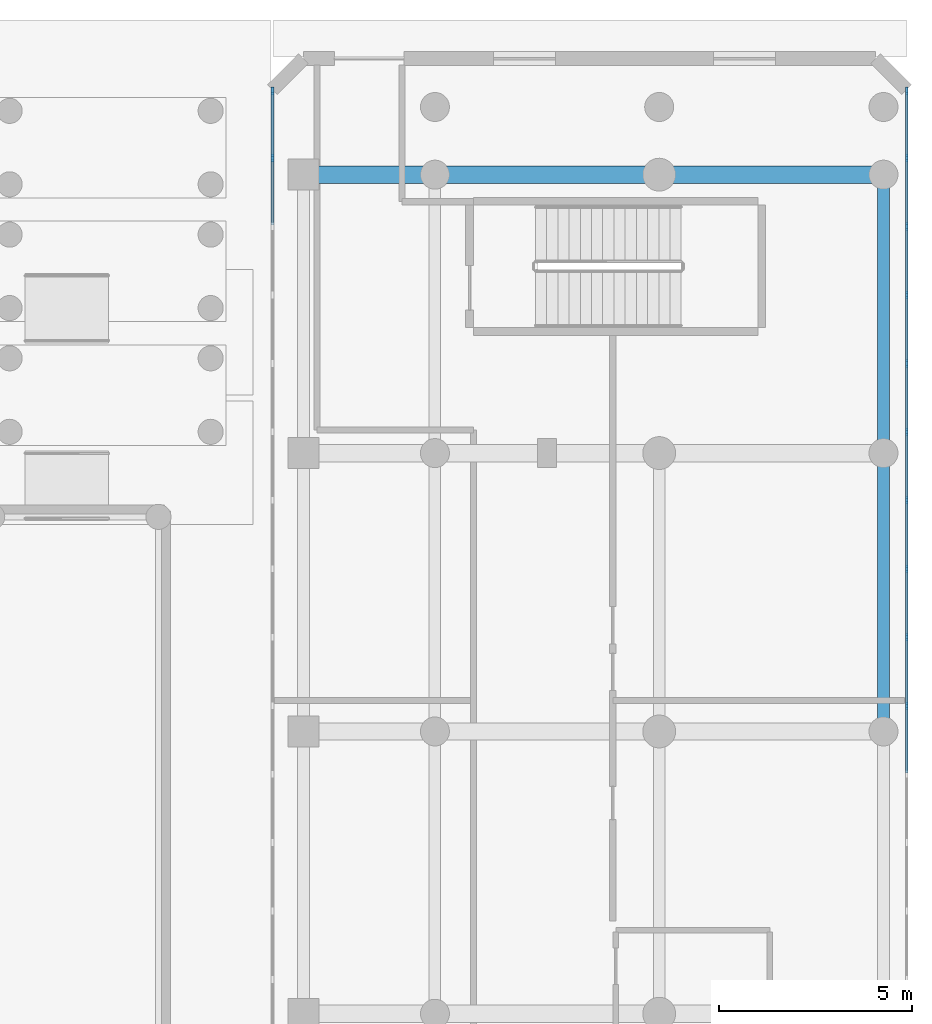
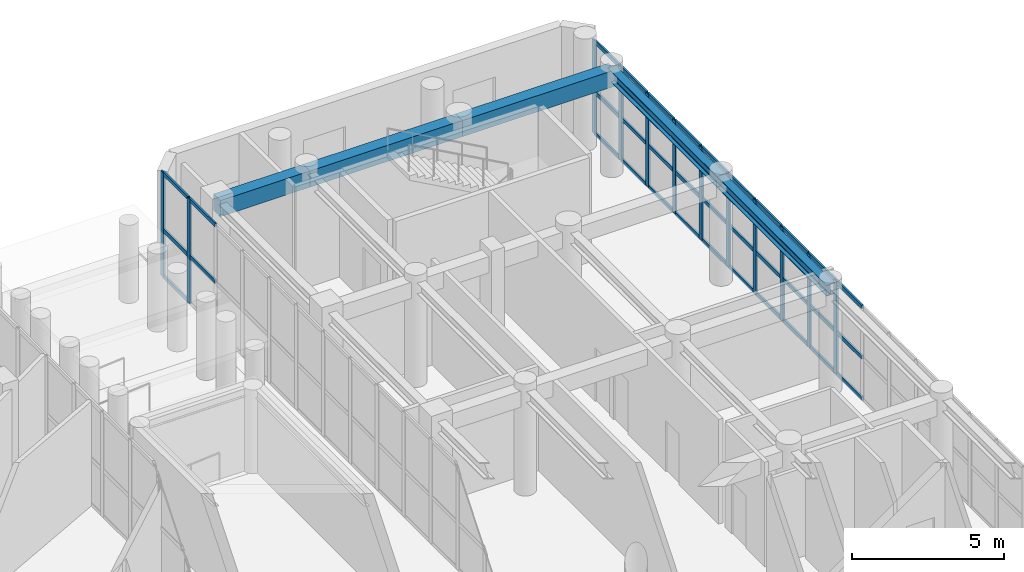
# One storey, part 9 of 30: 47 members, 5 beams, 2 elements without a shape of their own.
"""IFC4 building model written with IfcOpenShell, lengths in metres."""

import ifcopenshell
import ifcopenshell.guid

model = None  # the IFC model being written
_history = None  # IfcOwnerHistory: only IFC2X3 demands one
_inside = {}  # id of a spatial element -> (the spatial element, [elements in it])
_under = {}  # id of a project, library or spatial element -> (it, [spatial elements below it])
_declared = {}  # id of a project -> (the project, [libraries it declares])
_typed = {}  # id of a type object -> (the type object, [elements of that type])
_made_of = {}  # id of a material, layer set ... -> (it, [elements and type objects made of it])


def new_model(schema):
    """Start an empty IFC model of exactly this schema.

    Asked for "IFC4X3", IfcOpenShell would pick the latest addendum, in which some entities
    have other attributes; the version numbers below select the first issue.
    IFC2X3 requires an IfcOwnerHistory on every rooted entity: one is made here for all.
    """
    global model, _history
    if schema == "IFC4X3":
        model = ifcopenshell.file(schema_version=(4, 3, 0, 0))
    else:
        model = ifcopenshell.file(schema=schema)
    _inside.clear()
    _under.clear()
    _declared.clear()
    _typed.clear()
    _made_of.clear()
    _history = None
    if model.schema == "IFC2X3":
        org = make("IfcOrganization", Name="unknown")
        user = make(
            "IfcPersonAndOrganization",
            ThePerson=make("IfcPerson", FamilyName="unknown"),
            TheOrganization=org,
        )
        app = make(
            "IfcApplication",
            ApplicationDeveloper=org,
            Version="unknown",
            ApplicationFullName="unknown",
            ApplicationIdentifier="unknown",
        )
        _history = make(
            "IfcOwnerHistory",
            OwningUser=user,
            OwningApplication=app,
            ChangeAction="ADDED",
            CreationDate=0,
        )
    return model


def make(cls, **values):
    """One entity of the class cls with the attributes given. An attribute that is None is left unset."""
    return model.create_entity(
        cls, **{name: value for name, value in values.items() if value is not None}
    )


def rooted(cls, **values):
    """An entity with a GlobalId (a new one), such as an element, a storey or a relation."""
    return make(cls, GlobalId=ifcopenshell.guid.new(), OwnerHistory=_history, **values)


def si_unit(unit_type, name, prefix=None):
    """IfcSIUnit, for example si_unit("LENGTHUNIT", "METRE", prefix="MILLI")."""
    return make("IfcSIUnit", UnitType=unit_type, Prefix=prefix, Name=name)


def assignment(units):
    """IfcUnitAssignment: the units of a project."""
    return None if units is None else make("IfcUnitAssignment", Units=units)


def point(xyz):
    """IfcCartesianPoint."""
    return None if xyz is None else make("IfcCartesianPoint", Coordinates=xyz)


def direction(xyz):
    """IfcDirection."""
    return None if xyz is None else make("IfcDirection", DirectionRatios=xyz)


def frame(location, z_axis=None, x_axis=None):
    """IfcAxis2Placement3D, a coordinate frame: its origin and axes. An axis left out is left unset."""
    return make(
        "IfcAxis2Placement3D",
        Location=point(location),
        Axis=direction(z_axis),
        RefDirection=direction(x_axis),
    )


def frame_2d(location, x_axis=None):
    """IfcAxis2Placement2D, a coordinate frame in the plane: its origin and x axis."""
    return make(
        "IfcAxis2Placement2D", Location=point(location), RefDirection=direction(x_axis)
    )


def origin():
    """The frame at (0, 0, 0) with its axes left unset."""
    return frame((0.0, 0.0, 0.0))


def origin_with_axes():
    """The frame at (0, 0, 0) with the z axis (0, 0, 1) and the x axis (1, 0, 0) written out."""
    return frame((0.0, 0.0, 0.0), z_axis=(0.0, 0.0, 1.0), x_axis=(1.0, 0.0, 0.0))


def origin_2d():
    """The frame at (0, 0) in the plane with its x axis left unset."""
    return frame_2d((0.0, 0.0))


def place(relative_to, where):
    """IfcLocalPlacement: puts the frame where relative to a parent placement (None: the world)."""
    return make(
        "IfcLocalPlacement", PlacementRelTo=relative_to, RelativePlacement=where
    )


def context(
    kind, dimensions, precision=None, world=None, true_north=None, identifier=None
):
    """IfcGeometricRepresentationContext, for example the 3D "Model" context."""
    return make(
        "IfcGeometricRepresentationContext",
        ContextIdentifier=identifier,
        ContextType=kind,
        CoordinateSpaceDimension=dimensions,
        Precision=precision,
        WorldCoordinateSystem=world,
        TrueNorth=true_north,
    )


def subcontext(parent, identifier, kind, view, scale=None):
    """IfcGeometricRepresentationSubContext, for example "Body" below "Model"."""
    return make(
        "IfcGeometricRepresentationSubContext",
        ContextIdentifier=identifier,
        ContextType=kind,
        ParentContext=parent,
        TargetScale=scale,
        TargetView=view,
    )


def project(units=None, contexts=None):
    """IfcProject with its units and contexts."""
    return rooted(
        "IfcProject",
        Name="project",
        RepresentationContexts=contexts,
        UnitsInContext=assignment(units),
    )


def spatial(cls, under=None, at=None, **own):
    """A site, building, storey or space (cls), placed at a placement, below another one or the project."""
    s = rooted(cls, ObjectPlacement=at, **own)
    if under is not None:
        _under.setdefault(under.id(), (under, []))[1].append(s)
    return s


def profile(cls, at=None, kind="AREA", **sizes):
    """A parametric profile (cls). Its sizes go by their IFC names, for example OverallWidth=200.0."""
    return make(cls, ProfileType=kind, Position=at, **sizes)


def rectangle(**sizes):
    """IfcRectangleProfileDef."""
    return profile("IfcRectangleProfileDef", **sizes)


def i_section(**sizes):
    """IfcIShapeProfileDef."""
    return profile("IfcIShapeProfileDef", **sizes)


def extrude(swept, where, along, depth):
    """IfcExtrudedAreaSolid: the profile swept, set in the frame where, extruded along a direction by depth."""
    return make(
        "IfcExtrudedAreaSolid",
        SweptArea=swept,
        Position=where,
        ExtrudedDirection=direction(along),
        Depth=depth,
    )


def shape(context_of_items, identifier, shape_type, items):
    """IfcShapeRepresentation: the items that make up one representation, for example the "Body"."""
    return make(
        "IfcShapeRepresentation",
        ContextOfItems=context_of_items,
        RepresentationIdentifier=identifier,
        RepresentationType=shape_type,
        Items=items,
    )


def source(mapping_origin, context_of_items, identifier, shape_type, items):
    """IfcRepresentationMap: a shape defined once, which mapped items show again and again."""
    return make(
        "IfcRepresentationMap",
        MappingOrigin=mapping_origin,
        MappedRepresentation=shape(context_of_items, identifier, shape_type, items),
    )


def transform(
    local_origin,
    x_axis=None,
    y_axis=None,
    z_axis=None,
    scale=None,
    scale2=None,
    scale3=None,
    uniform=True,
):
    """IfcCartesianTransformationOperator3D, or its non-uniform kind. x_axis, y_axis, z_axis: its Axis1, 2, 3."""
    if uniform:
        return make(
            "IfcCartesianTransformationOperator3D",
            Axis1=direction(x_axis),
            Axis2=direction(y_axis),
            LocalOrigin=point(local_origin),
            Scale=scale,
            Axis3=direction(z_axis),
        )
    return make(
        "IfcCartesianTransformationOperator3DnonUniform",
        Axis1=direction(x_axis),
        Axis2=direction(y_axis),
        LocalOrigin=point(local_origin),
        Scale=scale,
        Axis3=direction(z_axis),
        Scale2=scale2,
        Scale3=scale3,
    )


def mapped(mapping_source, mapping_target):
    """IfcMappedItem: shows the shape of a source again, moved by a transform."""
    return make(
        "IfcMappedItem", MappingSource=mapping_source, MappingTarget=mapping_target
    )


def material(Name=None, Category=None):
    """IfcMaterial."""
    return make("IfcMaterial", Name=Name, Category=Category)


def layer(
    of_material, thickness, ventilated=None, Name=None, Category=None, Priority=None
):
    """IfcMaterialLayer: one layer of a wall or slab, of a material (None: an air gap)."""
    return make(
        "IfcMaterialLayer",
        Material=of_material,
        LayerThickness=thickness,
        IsVentilated=ventilated,
        Name=Name,
        Category=Category,
        Priority=Priority,
    )


def layer_set(layers, Name=None):
    """IfcMaterialLayerSet."""
    return make("IfcMaterialLayerSet", MaterialLayers=layers, LayerSetName=Name)


def material_profile(
    of_material, cross_section, Name=None, Category=None, Priority=None
):
    """IfcMaterialProfile: a cross section and its material."""
    return make(
        "IfcMaterialProfile",
        Name=Name,
        Material=of_material,
        Profile=cross_section,
        Priority=Priority,
        Category=Category,
    )


def profile_set(profiles, Name=None, composite=None):
    """IfcMaterialProfileSet."""
    return make(
        "IfcMaterialProfileSet",
        Name=Name,
        MaterialProfiles=profiles,
        CompositeProfile=composite,
    )


def made_of(thing, what):
    """Note that an element or type object is made of a material, layer set ...; save() writes the relation."""
    if what is not None:
        _made_of.setdefault(what.id(), (what, []))[1].append(thing)
    return thing


def type_object(cls, material=None, **own):
    """A type object (cls), such as IfcWallType, which elements share."""
    return made_of(rooted(cls, **own), material)


def element(
    cls,
    number,
    at=None,
    inside=None,
    cuts=None,
    type_object=None,
    material=None,
    context=None,
    identifier="Body",
    shape_type=None,
    held_by="IfcProductDefinitionShape",
    body=None,
    shapes=None,
    **own,
):
    """One element of the class cls, such as IfcWall. Its Tag is "e" and its number.

    at: its placement. inside: the storey or other place that contains it. cuts: it is an
    opening in that element (IfcRelVoidsElement). A single representation is given by context,
    identifier, shape_type and body (its items); several are given by shapes. held_by: the class
    of the entity that holds the representations. save() writes the other relations.
    """
    e = rooted(cls, Tag="e%d" % number, ObjectPlacement=at, **own)
    if body is not None:
        shapes = [shape(context, identifier, shape_type, body)]
    if shapes is not None:
        e.Representation = make(held_by, Representations=shapes)
    if inside is not None:
        _inside.setdefault(inside.id(), (inside, []))[1].append(e)
    if cuts is not None:
        rooted(
            "IfcRelVoidsElement", RelatingBuildingElement=cuts, RelatedOpeningElement=e
        )
    if type_object is not None:
        _typed.setdefault(type_object.id(), (type_object, []))[1].append(e)
    return made_of(e, material)


def aggregate(whole, parts):
    """IfcRelAggregates: a whole, such as a stair, and the parts it consists of."""
    return rooted("IfcRelAggregates", RelatingObject=whole, RelatedObjects=parts)


def save(model, path):
    """Write the relations noted so far, then the file.

    IfcRelAggregates (storeys below a building ...), IfcRelContainedInSpatialStructure (elements
    in a storey), IfcRelDefinesByType, IfcRelAssociatesMaterial and IfcRelDeclares: one each for
    every whole, place, type object, material and project.
    """
    for whole, parts in _under.values():
        aggregate(whole, parts)
    for where, things in _inside.values():
        rooted(
            "IfcRelContainedInSpatialStructure",
            RelatedElements=things,
            RelatingStructure=where,
        )
    for kind, things in _typed.values():
        rooted("IfcRelDefinesByType", RelatedObjects=things, RelatingType=kind)
    for what, things in _made_of.values():
        rooted("IfcRelAssociatesMaterial", RelatedObjects=things, RelatingMaterial=what)
    for by, libraries in _declared.values():
        rooted("IfcRelDeclares", RelatingContext=by, RelatedDefinitions=libraries)
    model.write(path)


model = new_model("IFC4")

# Units and contexts
model_context = context("Model", 3, precision=1e-05, world=origin(), true_north=direction((0.0, 1.0)))
body_context = subcontext(model_context, "Body", "Model", "MODEL_VIEW")
ifc_project = project(units=[si_unit("LENGTHUNIT", "METRE"), si_unit("AREAUNIT", "SQUARE_METRE"), si_unit("VOLUMEUNIT", "CUBIC_METRE"), si_unit("PLANEANGLEUNIT", "RADIAN"), si_unit("MASSUNIT", "GRAM", prefix="KILO")], contexts=[model_context])

# Site, building, storey
site_placement = place(None, origin())
site = spatial("IfcSite", under=ifc_project, at=site_placement, CompositionType="ELEMENT")
building_placement = place(site_placement, origin())
building = spatial("IfcBuilding", under=site, at=building_placement, Name="Karkom Vertical University and Central Library", CompositionType="ELEMENT")
storey_placement = place(building_placement, origin())
storey = spatial("IfcBuildingStorey", under=building, at=storey_placement, Name="L00", CompositionType="ELEMENT", Elevation=0.0)

# Beams
ifc_material_1 = material(Name="Concrete C40/50", Category="concrete")
ifc_material_profile_1 = material_profile(ifc_material_1, rectangle(XDim=0.449951171875, YDim=0.64990234375, at=origin_2d()), Name="RCB-450x650")
ifc_profile_set_1 = profile_set([ifc_material_profile_1], Name="Concrete C40/50")
beam_type_1 = type_object("IfcBeamType", Name="STR-BM-BG-4", PredefinedType="USERDEFINED", material=ifc_profile_set_1)
shared_shape_1 = source(origin_with_axes(), body_context, "Body", "SweptSolid", [
    extrude(rectangle(XDim=0.449951171875, YDim=0.64990234375, at=origin_2d()), origin(), (0.0, 0.0, 1.0), 3.400146484375),
])
beam_1_placement = place(storey_placement, frame((66.199951171875, 48.199951171875, 3.875), z_axis=(1.0, 0.0, 0.0), x_axis=(0.0, 1.0, 0.0)))
element("IfcBeam", 1, at=beam_1_placement, inside=storey, type_object=beam_type_1, Name="Level 00 Library Transverse Girder 7.1", ObjectType="GIRDER", PredefinedType="USERDEFINED", context=body_context, shape_type="MappedRepresentation", body=[
    mapped(shared_shape_1, transform((0.0, 0.0, 0.0), scale=1.0)),
])
shared_shape_2 = source(origin_with_axes(), body_context, "Body", "SweptSolid", [
    extrude(rectangle(XDim=0.449951171875, YDim=0.64990234375, at=origin_2d()), origin(), (0.0, 0.0, 1.0), 5.7998046875),
])
beam_2_placement = place(storey_placement, frame((69.60009765625, 48.199951171875, 3.875), z_axis=(1.0, 0.0, 0.0), x_axis=(0.0, 1.0, 0.0)))
element("IfcBeam", 2, at=beam_2_placement, inside=storey, type_object=beam_type_1, Name="Level 00 Library Transverse Girder 7.2", ObjectType="GIRDER", PredefinedType="USERDEFINED", context=body_context, shape_type="MappedRepresentation", body=[
    mapped(shared_shape_2, transform((0.0, 0.0, 0.0), scale=1.0)),
])
shared_shape_3 = source(origin_with_axes(), body_context, "Body", "SweptSolid", [
    extrude(rectangle(XDim=0.449951171875, YDim=0.64990234375, at=origin_2d()), origin(), (0.0, 0.0, 1.0), 5.800048828125),
])
beam_3_placement = place(storey_placement, frame((75.39990234375, 48.199951171875, 3.875), z_axis=(1.0, 0.0, 0.0), x_axis=(0.0, 1.0, 0.0)))
element("IfcBeam", 3, at=beam_3_placement, inside=storey, type_object=beam_type_1, Name="Level 00 Library Transverse Girder 7.3", ObjectType="GIRDER", PredefinedType="USERDEFINED", context=body_context, shape_type="MappedRepresentation", body=[
    mapped(shared_shape_3, transform((0.0, 0.0, 0.0), scale=1.0)),
])
ifc_material_2 = material(Name="Steel S355", Category="steel")
ifc_material_profile_2 = material_profile(ifc_material_2, i_section(OverallWidth=0.300048828125, OverallDepth=0.449951171875, WebThickness=0.013916015625, FlangeThickness=0.02587890625, FilletRadius=0.027099609375, at=origin_2d()), Name="HE 450 B")
ifc_profile_set_2 = profile_set([ifc_material_profile_2], Name="Steel S355")
beam_type_2 = type_object("IfcBeamType", Name="STR-BM-SB-HE450", PredefinedType="BEAM", material=ifc_profile_set_2)
shared_shape_4 = source(origin_with_axes(), body_context, "Body", "SweptSolid", [
    extrude(i_section(OverallWidth=0.300048828125, OverallDepth=0.449951171875, WebThickness=0.013916015625, FlangeThickness=0.02587890625, FilletRadius=0.027099609375, at=origin_2d()), origin(), (0.0, 0.0, 1.0), 7.199951171875),
])
for number, where, z_axis, x_axis, name in (
    (4, (81.199951171875, 33.800048828125, 3.97509765625), (0.0, 1.0, 0.0), (-1.0, 0.0, 0.0), "Level 00 Library Longitudinal Beam 4.5"),
    (5, (81.199951171875, 41.0, 3.97509765625), (0.0, 1.0, 0.0), (-1.0, 0.0, 0.0), "Level 00 Library Longitudinal Beam 4.6"),
):
    element("IfcBeam", number, at=place(storey_placement, frame(where, z_axis=z_axis, x_axis=x_axis)), inside=storey, type_object=beam_type_2, Name=name, PredefinedType="BEAM", context=body_context, shape_type="MappedRepresentation", body=[
        mapped(shared_shape_4, transform((0.0, 0.0, 0.0), scale=1.0)),
    ])

# Curtain wall, members
ifc_material_3 = material(Name="Aluminium curtain-wall framing and low-E IGU", Category="aluminium")
ifc_layer = layer(ifc_material_3, 0.199951171875)
ifc_layer_set = layer_set([ifc_layer], Name="Aluminium curtain-wall framing and low-E IGU")
curtain_wall_type = type_object("IfcCurtainWallType", Name="ENV-CW-1", PredefinedType="USERDEFINED", material=ifc_layer_set)
curtain_wall_1_placement = place(storey_placement, origin())
curtain_wall_1 = element("IfcCurtainWall", 6, at=curtain_wall_1_placement, inside=storey, type_object=curtain_wall_type, Name="Level 00 CW-1 Curtain Wall L00-CW-1-LIB-3", ObjectType="STICK MULLION GLAZING", PredefinedType="USERDEFINED")
ifc_material_4 = material(Name="Anodised Aluminium 6063-T6", Category="aluminium")
ifc_material_profile_3 = material_profile(ifc_material_4, rectangle(XDim=0.070068359375, YDim=0.199951171875, at=origin_2d()), Name="ALU-M70x200")
ifc_profile_set_3 = profile_set([ifc_material_profile_3], Name="Anodised Aluminium 6063-T6")
member_type_1 = type_object("IfcMemberType", Name="ENV-MEM-ALU-M70x200", PredefinedType="MULLION", material=ifc_profile_set_3)
shared_shape_5 = source(origin_with_axes(), body_context, "Body", "SweptSolid", [
    extrude(rectangle(XDim=0.070068359375, YDim=0.199951171875, at=origin_2d()), origin(), (0.0, 0.0, 1.0), 3.75),
])
member_1_placement = place(storey_placement, frame((81.800048828125, 34.466552734375, 0.0), z_axis=(0.0, 0.0, 1.0), x_axis=(-1.0, 0.0, 0.0)))
member_1 = element("IfcMember", 7, at=member_1_placement, type_object=member_type_1, Name="CW-1 mullion 19", PredefinedType="MULLION", context=body_context, shape_type="MappedRepresentation", body=[
    mapped(shared_shape_5, transform((0.0, 0.0, 0.0), scale=1.0)),
])
member_2_placement = place(storey_placement, frame((81.800048828125, 36.237060546875, 0.0), z_axis=(0.0, 0.0, 1.0), x_axis=(-1.0, 0.0, 0.0)))
member_2 = element("IfcMember", 8, at=member_2_placement, type_object=member_type_1, Name="CW-1 mullion 20", PredefinedType="MULLION", context=body_context, shape_type="MappedRepresentation", body=[
    mapped(shared_shape_5, transform((0.0, 0.0, 0.0), scale=1.0)),
])
member_3_placement = place(storey_placement, frame((81.800048828125, 38.00732421875, 0.0), z_axis=(0.0, 0.0, 1.0), x_axis=(-1.0, 0.0, 0.0)))
member_3 = element("IfcMember", 9, at=member_3_placement, type_object=member_type_1, Name="CW-1 mullion 21", PredefinedType="MULLION", context=body_context, shape_type="MappedRepresentation", body=[
    mapped(shared_shape_5, transform((0.0, 0.0, 0.0), scale=1.0)),
])
member_4_placement = place(storey_placement, frame((81.800048828125, 39.77783203125, 0.0), z_axis=(0.0, 0.0, 1.0), x_axis=(-1.0, 0.0, 0.0)))
member_4 = element("IfcMember", 10, at=member_4_placement, type_object=member_type_1, Name="CW-1 mullion 22", PredefinedType="MULLION", context=body_context, shape_type="MappedRepresentation", body=[
    mapped(shared_shape_5, transform((0.0, 0.0, 0.0), scale=1.0)),
])
member_5_placement = place(storey_placement, frame((81.800048828125, 41.548095703125, 0.0), z_axis=(0.0, 0.0, 1.0), x_axis=(-1.0, 0.0, 0.0)))
member_5 = element("IfcMember", 11, at=member_5_placement, type_object=member_type_1, Name="CW-1 mullion 23", PredefinedType="MULLION", context=body_context, shape_type="MappedRepresentation", body=[
    mapped(shared_shape_5, transform((0.0, 0.0, 0.0), scale=1.0)),
])
member_6_placement = place(storey_placement, frame((81.800048828125, 43.318603515625, 0.0), z_axis=(0.0, 0.0, 1.0), x_axis=(-1.0, 0.0, 0.0)))
member_6 = element("IfcMember", 12, at=member_6_placement, type_object=member_type_1, Name="CW-1 mullion 24", PredefinedType="MULLION", context=body_context, shape_type="MappedRepresentation", body=[
    mapped(shared_shape_5, transform((0.0, 0.0, 0.0), scale=1.0)),
])
member_7_placement = place(storey_placement, frame((81.800048828125, 45.0888671875, 0.0), z_axis=(0.0, 0.0, 1.0), x_axis=(-1.0, 0.0, 0.0)))
member_7 = element("IfcMember", 13, at=member_7_placement, type_object=member_type_1, Name="CW-1 mullion 25", PredefinedType="MULLION", context=body_context, shape_type="MappedRepresentation", body=[
    mapped(shared_shape_5, transform((0.0, 0.0, 0.0), scale=1.0)),
])
member_8_placement = place(storey_placement, frame((81.800048828125, 46.859375, 0.0), z_axis=(0.0, 0.0, 1.0), x_axis=(-1.0, 0.0, 0.0)))
member_8 = element("IfcMember", 14, at=member_8_placement, type_object=member_type_1, Name="CW-1 mullion 26", PredefinedType="MULLION", context=body_context, shape_type="MappedRepresentation", body=[
    mapped(shared_shape_5, transform((0.0, 0.0, 0.0), scale=1.0)),
])
member_9_placement = place(storey_placement, frame((81.800048828125, 48.629638671875, 0.0), z_axis=(0.0, 0.0, 1.0), x_axis=(-1.0, 0.0, 0.0)))
member_9 = element("IfcMember", 15, at=member_9_placement, type_object=member_type_1, Name="CW-1 mullion 27", PredefinedType="MULLION", context=body_context, shape_type="MappedRepresentation", body=[
    mapped(shared_shape_5, transform((0.0, 0.0, 0.0), scale=1.0)),
])
member_10_placement = place(storey_placement, frame((81.800048828125, 50.364990234375, 0.0), z_axis=(0.0, 0.0, 1.0), x_axis=(-1.0, 0.0, 0.0)))
member_10 = element("IfcMember", 16, at=member_10_placement, type_object=member_type_1, Name="CW-1 mullion 28", PredefinedType="MULLION", context=body_context, shape_type="MappedRepresentation", body=[
    mapped(shared_shape_5, transform((0.0, 0.0, 0.0), scale=1.0)),
])
ifc_material_profile_4 = material_profile(ifc_material_4, rectangle(XDim=0.070068359375, YDim=0.14990234375, at=origin_2d()), Name="ALU-T70x150")
ifc_profile_set_4 = profile_set([ifc_material_profile_4], Name="Anodised Aluminium 6063-T6")
member_type_2 = type_object("IfcMemberType", Name="ENV-MEM-ALU-T70x150", PredefinedType="USERDEFINED", material=ifc_profile_set_4)
shared_shape_6 = source(origin_with_axes(), body_context, "Body", "SweptSolid", [
    extrude(rectangle(XDim=0.070068359375, YDim=0.14990234375, at=origin_2d()), origin(), (0.0, 0.0, 1.0), 1.66552734375),
])
member_11_placement = place(storey_placement, frame((81.800048828125, 48.66455078125, 0.034912109375), z_axis=(0.0, 1.0, 0.0), x_axis=(-1.0, 0.0, 0.0)))
member_11 = element("IfcMember", 17, at=member_11_placement, type_object=member_type_2, Name="CW-1 transom 27.1", ObjectType="TRANSOM", PredefinedType="USERDEFINED", context=body_context, shape_type="MappedRepresentation", body=[
    mapped(shared_shape_6, transform((0.0, 0.0, 0.0), scale=1.0)),
])
member_12_placement = place(storey_placement, frame((81.800048828125, 48.66455078125, 1.6875), z_axis=(0.0, 1.0, 0.0), x_axis=(-1.0, 0.0, 0.0)))
member_12 = element("IfcMember", 18, at=member_12_placement, type_object=member_type_2, Name="CW-1 transom 27.2", ObjectType="TRANSOM", PredefinedType="USERDEFINED", context=body_context, shape_type="MappedRepresentation", body=[
    mapped(shared_shape_6, transform((0.0, 0.0, 0.0), scale=1.0)),
])
member_13_placement = place(storey_placement, frame((81.800048828125, 48.66455078125, 3.715087890625), z_axis=(0.0, 1.0, 0.0), x_axis=(-1.0, 0.0, 0.0)))
member_13 = element("IfcMember", 19, at=member_13_placement, type_object=member_type_2, Name="CW-1 transom 27.3", ObjectType="TRANSOM", PredefinedType="USERDEFINED", context=body_context, shape_type="MappedRepresentation", body=[
    mapped(shared_shape_6, transform((0.0, 0.0, 0.0), scale=1.0)),
])

curtain_wall_2_placement = place(storey_placement, origin())
curtain_wall_2 = element("IfcCurtainWall", 20, at=curtain_wall_2_placement, inside=storey, type_object=curtain_wall_type, Name="Level 00 CW-1 Curtain Wall L00-CW-1-LIB-7", ObjectType="STICK MULLION GLAZING", PredefinedType="USERDEFINED")
member_14_placement = place(storey_placement, frame((65.39990234375, 50.330078125, 0.034912109375), z_axis=(0.0, -1.0, 0.0), x_axis=(1.0, 0.0, 0.0)))
member_14 = element("IfcMember", 21, at=member_14_placement, type_object=member_type_2, Name="CW-1 transom 1.1", ObjectType="TRANSOM", PredefinedType="USERDEFINED", context=body_context, shape_type="MappedRepresentation", body=[
    mapped(shared_shape_6, transform((0.0, 0.0, 0.0), scale=1.0)),
])
member_15_placement = place(storey_placement, frame((65.39990234375, 50.330078125, 1.889892578125), z_axis=(0.0, -1.0, 0.0), x_axis=(1.0, 0.0, 0.0)))
member_15 = element("IfcMember", 22, at=member_15_placement, type_object=member_type_2, Name="CW-1 transom 1.2", ObjectType="TRANSOM", PredefinedType="USERDEFINED", context=body_context, shape_type="MappedRepresentation", body=[
    mapped(shared_shape_6, transform((0.0, 0.0, 0.0), scale=1.0)),
])
member_16_placement = place(storey_placement, frame((65.39990234375, 50.330078125, 4.1650390625), z_axis=(0.0, -1.0, 0.0), x_axis=(1.0, 0.0, 0.0)))
member_16 = element("IfcMember", 23, at=member_16_placement, type_object=member_type_2, Name="CW-1 transom 1.3", ObjectType="TRANSOM", PredefinedType="USERDEFINED", context=body_context, shape_type="MappedRepresentation", body=[
    mapped(shared_shape_6, transform((0.0, 0.0, 0.0), scale=1.0)),
])

# Member
shared_shape_7 = source(origin_with_axes(), body_context, "Body", "SweptSolid", [
    extrude(rectangle(XDim=0.070068359375, YDim=0.14990234375, at=origin_2d()), origin(), (0.0, 0.0, 1.0), 1.700439453125),
])
member_17_placement = place(storey_placement, frame((81.800048828125, 32.731201171875, 0.034912109375), z_axis=(0.0, 1.0, 0.0), x_axis=(-1.0, 0.0, 0.0)))
member_17 = element("IfcMember", 24, at=member_17_placement, type_object=member_type_2, Name="CW-1 transom 18.1", ObjectType="TRANSOM", PredefinedType="USERDEFINED", context=body_context, shape_type="MappedRepresentation", body=[
    mapped(shared_shape_7, transform((0.0, 0.0, 0.0), scale=1.0)),
])

member_18_placement = place(storey_placement, frame((81.800048828125, 32.731201171875, 1.6875), z_axis=(0.0, 1.0, 0.0), x_axis=(-1.0, 0.0, 0.0)))
member_18 = element("IfcMember", 25, at=member_18_placement, type_object=member_type_2, Name="CW-1 transom 18.2", ObjectType="TRANSOM", PredefinedType="USERDEFINED", context=body_context, shape_type="MappedRepresentation", body=[
    mapped(shared_shape_7, transform((0.0, 0.0, 0.0), scale=1.0)),
])

member_19_placement = place(storey_placement, frame((81.800048828125, 32.731201171875, 3.715087890625), z_axis=(0.0, 1.0, 0.0), x_axis=(-1.0, 0.0, 0.0)))
member_19 = element("IfcMember", 26, at=member_19_placement, type_object=member_type_2, Name="CW-1 transom 18.3", ObjectType="TRANSOM", PredefinedType="USERDEFINED", context=body_context, shape_type="MappedRepresentation", body=[
    mapped(shared_shape_7, transform((0.0, 0.0, 0.0), scale=1.0)),
])

member_20_placement = place(storey_placement, frame((81.800048828125, 34.501708984375, 0.034912109375), z_axis=(0.0, 1.0, 0.0), x_axis=(-1.0, 0.0, 0.0)))
member_20 = element("IfcMember", 27, at=member_20_placement, type_object=member_type_2, Name="CW-1 transom 19.1", ObjectType="TRANSOM", PredefinedType="USERDEFINED", context=body_context, shape_type="MappedRepresentation", body=[
    mapped(shared_shape_7, transform((0.0, 0.0, 0.0), scale=1.0)),
])

member_21_placement = place(storey_placement, frame((81.800048828125, 34.501708984375, 1.6875), z_axis=(0.0, 1.0, 0.0), x_axis=(-1.0, 0.0, 0.0)))
member_21 = element("IfcMember", 28, at=member_21_placement, type_object=member_type_2, Name="CW-1 transom 19.2", ObjectType="TRANSOM", PredefinedType="USERDEFINED", context=body_context, shape_type="MappedRepresentation", body=[
    mapped(shared_shape_7, transform((0.0, 0.0, 0.0), scale=1.0)),
])

member_22_placement = place(storey_placement, frame((81.800048828125, 34.501708984375, 3.715087890625), z_axis=(0.0, 1.0, 0.0), x_axis=(-1.0, 0.0, 0.0)))
member_22 = element("IfcMember", 29, at=member_22_placement, type_object=member_type_2, Name="CW-1 transom 19.3", ObjectType="TRANSOM", PredefinedType="USERDEFINED", context=body_context, shape_type="MappedRepresentation", body=[
    mapped(shared_shape_7, transform((0.0, 0.0, 0.0), scale=1.0)),
])

member_23_placement = place(storey_placement, frame((81.800048828125, 36.27197265625, 0.034912109375), z_axis=(0.0, 1.0, 0.0), x_axis=(-1.0, 0.0, 0.0)))
member_23 = element("IfcMember", 30, at=member_23_placement, type_object=member_type_2, Name="CW-1 transom 20.1", ObjectType="TRANSOM", PredefinedType="USERDEFINED", context=body_context, shape_type="MappedRepresentation", body=[
    mapped(shared_shape_7, transform((0.0, 0.0, 0.0), scale=1.0)),
])

member_24_placement = place(storey_placement, frame((81.800048828125, 36.27197265625, 1.6875), z_axis=(0.0, 1.0, 0.0), x_axis=(-1.0, 0.0, 0.0)))
member_24 = element("IfcMember", 31, at=member_24_placement, type_object=member_type_2, Name="CW-1 transom 20.2", ObjectType="TRANSOM", PredefinedType="USERDEFINED", context=body_context, shape_type="MappedRepresentation", body=[
    mapped(shared_shape_7, transform((0.0, 0.0, 0.0), scale=1.0)),
])

member_25_placement = place(storey_placement, frame((81.800048828125, 36.27197265625, 3.715087890625), z_axis=(0.0, 1.0, 0.0), x_axis=(-1.0, 0.0, 0.0)))
member_25 = element("IfcMember", 32, at=member_25_placement, type_object=member_type_2, Name="CW-1 transom 20.3", ObjectType="TRANSOM", PredefinedType="USERDEFINED", context=body_context, shape_type="MappedRepresentation", body=[
    mapped(shared_shape_7, transform((0.0, 0.0, 0.0), scale=1.0)),
])

member_26_placement = place(storey_placement, frame((81.800048828125, 39.812744140625, 0.034912109375), z_axis=(0.0, 1.0, 0.0), x_axis=(-1.0, 0.0, 0.0)))
member_26 = element("IfcMember", 33, at=member_26_placement, type_object=member_type_2, Name="CW-1 transom 22.1", ObjectType="TRANSOM", PredefinedType="USERDEFINED", context=body_context, shape_type="MappedRepresentation", body=[
    mapped(shared_shape_7, transform((0.0, 0.0, 0.0), scale=1.0)),
])

member_27_placement = place(storey_placement, frame((81.800048828125, 39.812744140625, 1.6875), z_axis=(0.0, 1.0, 0.0), x_axis=(-1.0, 0.0, 0.0)))
member_27 = element("IfcMember", 34, at=member_27_placement, type_object=member_type_2, Name="CW-1 transom 22.2", ObjectType="TRANSOM", PredefinedType="USERDEFINED", context=body_context, shape_type="MappedRepresentation", body=[
    mapped(shared_shape_7, transform((0.0, 0.0, 0.0), scale=1.0)),
])

member_28_placement = place(storey_placement, frame((81.800048828125, 39.812744140625, 3.715087890625), z_axis=(0.0, 1.0, 0.0), x_axis=(-1.0, 0.0, 0.0)))
member_28 = element("IfcMember", 35, at=member_28_placement, type_object=member_type_2, Name="CW-1 transom 22.3", ObjectType="TRANSOM", PredefinedType="USERDEFINED", context=body_context, shape_type="MappedRepresentation", body=[
    mapped(shared_shape_7, transform((0.0, 0.0, 0.0), scale=1.0)),
])

member_29_placement = place(storey_placement, frame((81.800048828125, 43.353515625, 0.034912109375), z_axis=(0.0, 1.0, 0.0), x_axis=(-1.0, 0.0, 0.0)))
member_29 = element("IfcMember", 36, at=member_29_placement, type_object=member_type_2, Name="CW-1 transom 24.1", ObjectType="TRANSOM", PredefinedType="USERDEFINED", context=body_context, shape_type="MappedRepresentation", body=[
    mapped(shared_shape_7, transform((0.0, 0.0, 0.0), scale=1.0)),
])

member_30_placement = place(storey_placement, frame((81.800048828125, 43.353515625, 1.6875), z_axis=(0.0, 1.0, 0.0), x_axis=(-1.0, 0.0, 0.0)))
member_30 = element("IfcMember", 37, at=member_30_placement, type_object=member_type_2, Name="CW-1 transom 24.2", ObjectType="TRANSOM", PredefinedType="USERDEFINED", context=body_context, shape_type="MappedRepresentation", body=[
    mapped(shared_shape_7, transform((0.0, 0.0, 0.0), scale=1.0)),
])

member_31_placement = place(storey_placement, frame((81.800048828125, 43.353515625, 3.715087890625), z_axis=(0.0, 1.0, 0.0), x_axis=(-1.0, 0.0, 0.0)))
member_31 = element("IfcMember", 38, at=member_31_placement, type_object=member_type_2, Name="CW-1 transom 24.3", ObjectType="TRANSOM", PredefinedType="USERDEFINED", context=body_context, shape_type="MappedRepresentation", body=[
    mapped(shared_shape_7, transform((0.0, 0.0, 0.0), scale=1.0)),
])

member_32_placement = place(storey_placement, frame((81.800048828125, 45.123779296875, 0.034912109375), z_axis=(0.0, 1.0, 0.0), x_axis=(-1.0, 0.0, 0.0)))
member_32 = element("IfcMember", 39, at=member_32_placement, type_object=member_type_2, Name="CW-1 transom 25.1", ObjectType="TRANSOM", PredefinedType="USERDEFINED", context=body_context, shape_type="MappedRepresentation", body=[
    mapped(shared_shape_7, transform((0.0, 0.0, 0.0), scale=1.0)),
])

member_33_placement = place(storey_placement, frame((81.800048828125, 45.123779296875, 1.6875), z_axis=(0.0, 1.0, 0.0), x_axis=(-1.0, 0.0, 0.0)))
member_33 = element("IfcMember", 40, at=member_33_placement, type_object=member_type_2, Name="CW-1 transom 25.2", ObjectType="TRANSOM", PredefinedType="USERDEFINED", context=body_context, shape_type="MappedRepresentation", body=[
    mapped(shared_shape_7, transform((0.0, 0.0, 0.0), scale=1.0)),
])

member_34_placement = place(storey_placement, frame((81.800048828125, 45.123779296875, 3.715087890625), z_axis=(0.0, 1.0, 0.0), x_axis=(-1.0, 0.0, 0.0)))
member_34 = element("IfcMember", 41, at=member_34_placement, type_object=member_type_2, Name="CW-1 transom 25.3", ObjectType="TRANSOM", PredefinedType="USERDEFINED", context=body_context, shape_type="MappedRepresentation", body=[
    mapped(shared_shape_7, transform((0.0, 0.0, 0.0), scale=1.0)),
])

member_35_placement = place(storey_placement, frame((81.800048828125, 46.894287109375, 0.034912109375), z_axis=(0.0, 1.0, 0.0), x_axis=(-1.0, 0.0, 0.0)))
member_35 = element("IfcMember", 42, at=member_35_placement, type_object=member_type_2, Name="CW-1 transom 26.1", ObjectType="TRANSOM", PredefinedType="USERDEFINED", context=body_context, shape_type="MappedRepresentation", body=[
    mapped(shared_shape_7, transform((0.0, 0.0, 0.0), scale=1.0)),
])

member_36_placement = place(storey_placement, frame((81.800048828125, 46.894287109375, 1.6875), z_axis=(0.0, 1.0, 0.0), x_axis=(-1.0, 0.0, 0.0)))
member_36 = element("IfcMember", 43, at=member_36_placement, type_object=member_type_2, Name="CW-1 transom 26.2", ObjectType="TRANSOM", PredefinedType="USERDEFINED", context=body_context, shape_type="MappedRepresentation", body=[
    mapped(shared_shape_7, transform((0.0, 0.0, 0.0), scale=1.0)),
])

member_37_placement = place(storey_placement, frame((81.800048828125, 46.894287109375, 3.715087890625), z_axis=(0.0, 1.0, 0.0), x_axis=(-1.0, 0.0, 0.0)))
member_37 = element("IfcMember", 44, at=member_37_placement, type_object=member_type_2, Name="CW-1 transom 26.3", ObjectType="TRANSOM", PredefinedType="USERDEFINED", context=body_context, shape_type="MappedRepresentation", body=[
    mapped(shared_shape_7, transform((0.0, 0.0, 0.0), scale=1.0)),
])

member_38_placement = place(storey_placement, frame((65.39990234375, 48.5947265625, 1.889892578125), z_axis=(0.0, -1.0, 0.0), x_axis=(1.0, 0.0, 0.0)))
member_38 = element("IfcMember", 45, at=member_38_placement, type_object=member_type_2, Name="CW-1 transom 2.2", ObjectType="TRANSOM", PredefinedType="USERDEFINED", context=body_context, shape_type="MappedRepresentation", body=[
    mapped(shared_shape_7, transform((0.0, 0.0, 0.0), scale=1.0)),
])

member_39_placement = place(storey_placement, frame((65.39990234375, 48.5947265625, 4.1650390625), z_axis=(0.0, -1.0, 0.0), x_axis=(1.0, 0.0, 0.0)))
member_39 = element("IfcMember", 46, at=member_39_placement, type_object=member_type_2, Name="CW-1 transom 2.3", ObjectType="TRANSOM", PredefinedType="USERDEFINED", context=body_context, shape_type="MappedRepresentation", body=[
    mapped(shared_shape_7, transform((0.0, 0.0, 0.0), scale=1.0)),
])

shared_shape_8 = source(origin_with_axes(), body_context, "Body", "SweptSolid", [
    extrude(rectangle(XDim=0.070068359375, YDim=0.14990234375, at=origin_2d()), origin(), (0.0, 0.0, 1.0), 1.7001953125),
])
member_40_placement = place(storey_placement, frame((81.800048828125, 38.04248046875, 0.034912109375), z_axis=(0.0, 1.0, 0.0), x_axis=(-1.0, 0.0, 0.0)))
member_40 = element("IfcMember", 47, at=member_40_placement, type_object=member_type_2, Name="CW-1 transom 21.1", ObjectType="TRANSOM", PredefinedType="USERDEFINED", context=body_context, shape_type="MappedRepresentation", body=[
    mapped(shared_shape_8, transform((0.0, 0.0, 0.0), scale=1.0)),
])

member_41_placement = place(storey_placement, frame((81.800048828125, 38.04248046875, 1.6875), z_axis=(0.0, 1.0, 0.0), x_axis=(-1.0, 0.0, 0.0)))
member_41 = element("IfcMember", 48, at=member_41_placement, type_object=member_type_2, Name="CW-1 transom 21.2", ObjectType="TRANSOM", PredefinedType="USERDEFINED", context=body_context, shape_type="MappedRepresentation", body=[
    mapped(shared_shape_8, transform((0.0, 0.0, 0.0), scale=1.0)),
])

member_42_placement = place(storey_placement, frame((81.800048828125, 38.04248046875, 3.715087890625), z_axis=(0.0, 1.0, 0.0), x_axis=(-1.0, 0.0, 0.0)))
member_42 = element("IfcMember", 49, at=member_42_placement, type_object=member_type_2, Name="CW-1 transom 21.3", ObjectType="TRANSOM", PredefinedType="USERDEFINED", context=body_context, shape_type="MappedRepresentation", body=[
    mapped(shared_shape_8, transform((0.0, 0.0, 0.0), scale=1.0)),
])

member_43_placement = place(storey_placement, frame((81.800048828125, 41.583251953125, 0.034912109375), z_axis=(0.0, 1.0, 0.0), x_axis=(-1.0, 0.0, 0.0)))
member_43 = element("IfcMember", 50, at=member_43_placement, type_object=member_type_2, Name="CW-1 transom 23.1", ObjectType="TRANSOM", PredefinedType="USERDEFINED", context=body_context, shape_type="MappedRepresentation", body=[
    mapped(shared_shape_8, transform((0.0, 0.0, 0.0), scale=1.0)),
])

member_44_placement = place(storey_placement, frame((81.800048828125, 41.583251953125, 1.6875), z_axis=(0.0, 1.0, 0.0), x_axis=(-1.0, 0.0, 0.0)))
member_44 = element("IfcMember", 51, at=member_44_placement, type_object=member_type_2, Name="CW-1 transom 23.2", ObjectType="TRANSOM", PredefinedType="USERDEFINED", context=body_context, shape_type="MappedRepresentation", body=[
    mapped(shared_shape_8, transform((0.0, 0.0, 0.0), scale=1.0)),
])

member_45_placement = place(storey_placement, frame((81.800048828125, 41.583251953125, 3.715087890625), z_axis=(0.0, 1.0, 0.0), x_axis=(-1.0, 0.0, 0.0)))
member_45 = element("IfcMember", 52, at=member_45_placement, type_object=member_type_2, Name="CW-1 transom 23.3", ObjectType="TRANSOM", PredefinedType="USERDEFINED", context=body_context, shape_type="MappedRepresentation", body=[
    mapped(shared_shape_8, transform((0.0, 0.0, 0.0), scale=1.0)),
])

aggregate(curtain_wall_1, [member_1, member_2, member_3, member_4, member_5, member_6, member_7, member_8, member_9, member_10, member_17, member_18, member_19, member_20, member_21, member_22, member_23, member_24, member_25, member_40, member_41, member_42, member_26, member_27, member_28, member_43, member_44, member_45, member_29, member_30, member_31, member_32, member_33, member_34, member_35, member_36, member_37, member_11, member_12, member_13])

shared_shape_9 = source(origin_with_axes(), body_context, "Body", "SweptSolid", [
    extrude(rectangle(XDim=0.070068359375, YDim=0.199951171875, at=origin_2d()), origin(), (0.0, 0.0, 1.0), 4.199951171875),
])
member_46_placement = place(storey_placement, frame((65.39990234375, 50.364990234375, 0.0), z_axis=(0.0, 0.0, 1.0), x_axis=(1.0, 0.0, 0.0)))
member_46 = element("IfcMember", 53, at=member_46_placement, type_object=member_type_1, Name="CW-1 mullion 1", PredefinedType="MULLION", context=body_context, shape_type="MappedRepresentation", body=[
    mapped(shared_shape_9, transform((0.0, 0.0, 0.0), scale=1.0)),
])

member_47_placement = place(storey_placement, frame((65.39990234375, 48.629638671875, 0.0), z_axis=(0.0, 0.0, 1.0), x_axis=(1.0, 0.0, 0.0)))
member_47 = element("IfcMember", 54, at=member_47_placement, type_object=member_type_1, Name="CW-1 mullion 2", PredefinedType="MULLION", context=body_context, shape_type="MappedRepresentation", body=[
    mapped(shared_shape_9, transform((0.0, 0.0, 0.0), scale=1.0)),
])

aggregate(curtain_wall_2, [member_46, member_47, member_14, member_15, member_16, member_38, member_39])

save(model, "model.ifc")
